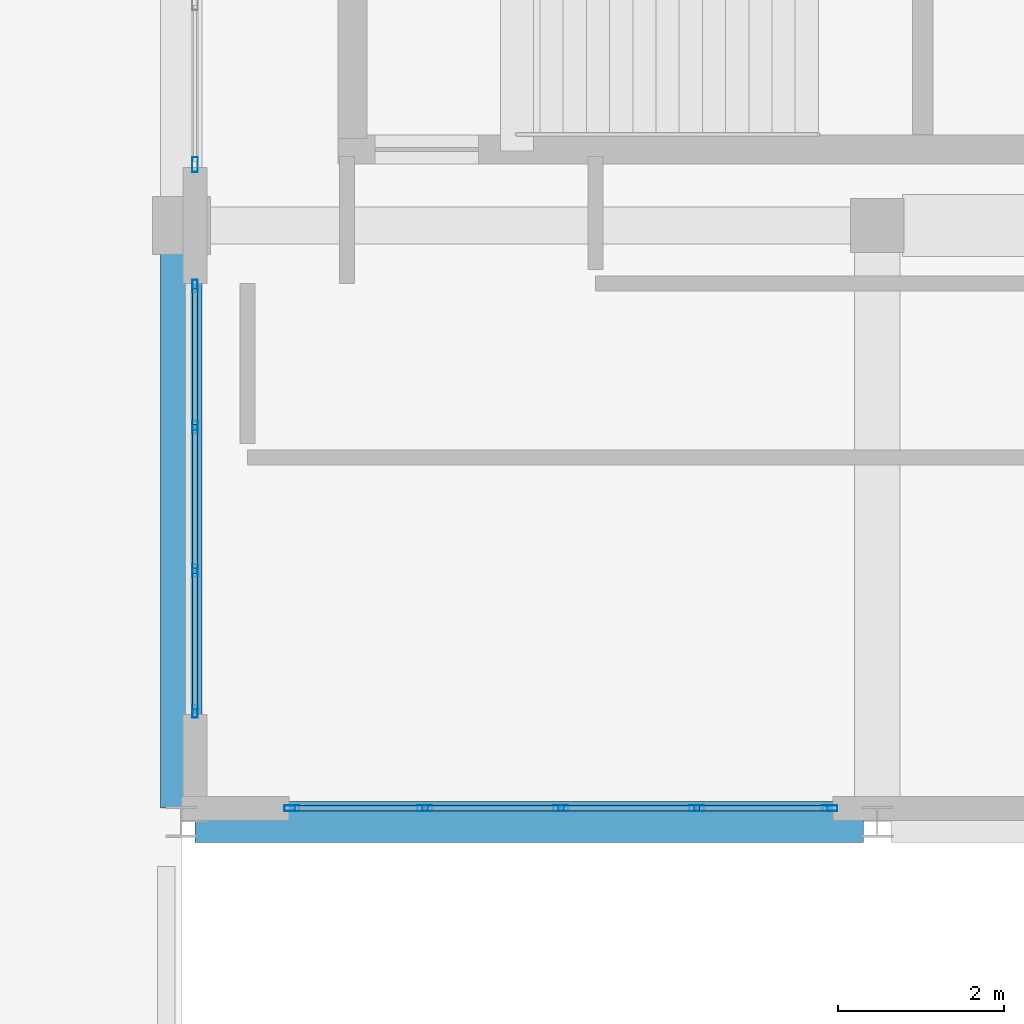
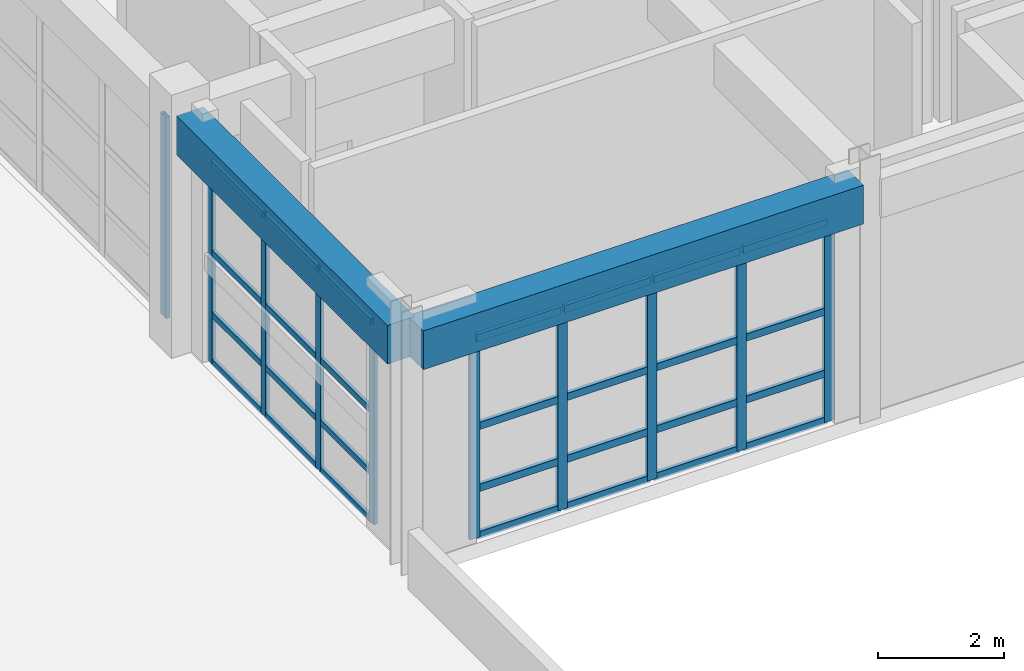
# One storey, part 44 of 78: 38 members, 2 beams, 3 elements without a shape of their own.
"""IFC4 building model written with IfcOpenShell, lengths in metres."""

from ifc_helpers import new_model, si_unit, direction, frame, origin, origin_2d, place, context, subcontext, project, spatial, rectangle, hollow_rectangle, extrude, material, layer, layer_set, material_profile, profile_set, type_object, element, aggregate, save


model = new_model("IFC4")

# Units and contexts
model_context = context("Model", 3, precision=1e-05, world=origin(), true_north=direction((0.0, 1.0)))
body_context = subcontext(model_context, "Body", "Model", "MODEL_VIEW")
ifc_project = project(units=[si_unit("LENGTHUNIT", "METRE"), si_unit("AREAUNIT", "SQUARE_METRE"), si_unit("VOLUMEUNIT", "CUBIC_METRE"), si_unit("PLANEANGLEUNIT", "RADIAN"), si_unit("MASSUNIT", "GRAM", prefix="KILO")], contexts=[model_context])

# Site, building, storey
site_placement = place(None, origin())
site = spatial("IfcSite", under=ifc_project, at=site_placement, CompositionType="ELEMENT")
building_placement = place(site_placement, origin())
building = spatial("IfcBuilding", under=site, at=building_placement, Name="Quendrovan Civic Courthouse", CompositionType="ELEMENT")
storey_placement = place(building_placement, frame((0.0, 0.0, 10.199951171875)))
storey = spatial("IfcBuildingStorey", under=building, at=storey_placement, Name="L03", CompositionType="ELEMENT", Elevation=10.199951171875)

# Beams
ifc_material_1 = material(Name="Concrete C40/50", Category="concrete")
ifc_material_profile_1 = material_profile(ifc_material_1, rectangle(XDim=0.5, YDim=0.75, at=origin_2d()), Name="RC-BM-500x750")
ifc_profile_set_1 = profile_set([ifc_material_profile_1], Name="Concrete C40/50")
beam_type = type_object("IfcBeamType", Name="BM-RC750", PredefinedType="SPANDREL", material=ifc_profile_set_1)
beam_1_placement = place(storey_placement, frame((109.366943359375, 87.60009765625, 4.28515625), z_axis=(1.0, 0.0, 0.0), x_axis=(0.0, 1.0, 0.0)))
element("IfcBeam", 1, at=beam_1_placement, inside=storey, type_object=beam_type, Name="L03 Girder X0767", PredefinedType="SPANDREL", context=body_context, shape_type="SweptSolid", body=[
    extrude(rectangle(XDim=0.5, YDim=0.75, at=origin_2d()), origin(), (0.0, 0.0, 1.0), 8.066162109375),
])
beam_2_placement = place(storey_placement, frame((109.199951171875, 87.76611328125, 4.28515625), z_axis=(0.0, 1.0, 0.0), x_axis=(-1.0, 0.0, 0.0)))
element("IfcBeam", 2, at=beam_2_placement, inside=storey, type_object=beam_type, Name="L03 Girder Y0861", PredefinedType="SPANDREL", context=body_context, shape_type="SweptSolid", body=[
    extrude(rectangle(XDim=0.5, YDim=0.75, at=origin_2d()), origin(), (0.0, 0.0, 1.0), 6.703857421875),
])

# Curtain wall, members
ifc_material_2 = material(Name="Bronze anodised aluminium and low-E glass", Category="aluminium")
ifc_layer_1 = layer(ifc_material_2, 0.179931640625, Name="Bronze anodised aluminium and low-E glass")
ifc_layer_set_1 = layer_set([ifc_layer_1], Name="Bronze anodised aluminium and low-E glass")
curtain_wall_type_1 = type_object("IfcCurtainWallType", Name="CW-U66x39", PredefinedType="USERDEFINED", material=ifc_layer_set_1)
curtain_wall_1_placement = place(storey_placement, origin())
curtain_wall_1 = element("IfcCurtainWall", 3, at=curtain_wall_1_placement, inside=storey, type_object=curtain_wall_type_1, Name="L03 Unitised Hurricane Curtain Wall CW-140", ObjectType="UNITISED CURTAIN WALL", PredefinedType="USERDEFINED")
ifc_material_3 = material(Name="Bronze anodised aluminium", Category="aluminium")
ifc_material_profile_2 = material_profile(ifc_material_3, hollow_rectangle(XDim=0.070068359375, YDim=0.179931640625, WallThickness=0.00390625, at=origin_2d()), Name="CW-MULL-70x180")
ifc_profile_set_2 = profile_set([ifc_material_profile_2], Name="Bronze anodised aluminium")
member_type_1 = type_object("IfcMemberType", Name="CW-MULL-A", PredefinedType="MULLION", material=ifc_profile_set_2)
member_1_placement = place(storey_placement, frame((117.028076171875, 87.764892578125, 0.0), z_axis=(0.0, 0.0, 1.0), x_axis=(0.0, -1.0, 0.0)))
member_1 = element("IfcMember", 4, at=member_1_placement, type_object=member_type_1, Name="CW-140 mullion 1", PredefinedType="MULLION", context=body_context, shape_type="SweptSolid", body=[
    extrude(hollow_rectangle(XDim=0.070068359375, YDim=0.179931640625, WallThickness=0.00390625, at=origin_2d()), origin(), (0.0, 0.0, 1.0), 3.900146484375),
])
member_2_placement = place(storey_placement, frame((115.42236328125, 87.764892578125, 0.0), z_axis=(0.0, 0.0, 1.0), x_axis=(0.0, -1.0, 0.0)))
member_2 = element("IfcMember", 5, at=member_2_placement, type_object=member_type_1, Name="CW-140 mullion 2", PredefinedType="MULLION", context=body_context, shape_type="SweptSolid", body=[
    extrude(hollow_rectangle(XDim=0.070068359375, YDim=0.179931640625, WallThickness=0.00390625, at=origin_2d()), origin(), (0.0, 0.0, 1.0), 3.900146484375),
])
member_3_placement = place(storey_placement, frame((113.781494140625, 87.764892578125, 0.0), z_axis=(0.0, 0.0, 1.0), x_axis=(0.0, -1.0, 0.0)))
member_3 = element("IfcMember", 6, at=member_3_placement, type_object=member_type_1, Name="CW-140 mullion 3", PredefinedType="MULLION", context=body_context, shape_type="SweptSolid", body=[
    extrude(hollow_rectangle(XDim=0.070068359375, YDim=0.179931640625, WallThickness=0.00390625, at=origin_2d()), origin(), (0.0, 0.0, 1.0), 3.900146484375),
])
member_4_placement = place(storey_placement, frame((112.140869140625, 87.764892578125, 0.0), z_axis=(0.0, 0.0, 1.0), x_axis=(0.0, -1.0, 0.0)))
member_4 = element("IfcMember", 7, at=member_4_placement, type_object=member_type_1, Name="CW-140 mullion 4", PredefinedType="MULLION", context=body_context, shape_type="SweptSolid", body=[
    extrude(hollow_rectangle(XDim=0.070068359375, YDim=0.179931640625, WallThickness=0.00390625, at=origin_2d()), origin(), (0.0, 0.0, 1.0), 3.900146484375),
])
member_5_placement = place(storey_placement, frame((110.534912109375, 87.764892578125, 0.0), z_axis=(0.0, 0.0, 1.0), x_axis=(0.0, -1.0, 0.0)))
member_5 = element("IfcMember", 8, at=member_5_placement, type_object=member_type_1, Name="CW-140 mullion 5", PredefinedType="MULLION", context=body_context, shape_type="SweptSolid", body=[
    extrude(hollow_rectangle(XDim=0.070068359375, YDim=0.179931640625, WallThickness=0.00390625, at=origin_2d()), origin(), (0.0, 0.0, 1.0), 3.900146484375),
])

# Curtain wall, member
ifc_layer_2 = layer(ifc_material_2, 0.179931640625, Name="Bronze anodised aluminium and low-E glass")
ifc_layer_set_2 = layer_set([ifc_layer_2], Name="Bronze anodised aluminium and low-E glass")
curtain_wall_type_2 = type_object("IfcCurtainWallType", Name="CW-U60x39", PredefinedType="USERDEFINED", material=ifc_layer_set_2)
curtain_wall_2_placement = place(storey_placement, origin())
curtain_wall_2 = element("IfcCurtainWall", 9, at=curtain_wall_2_placement, inside=storey, type_object=curtain_wall_type_2, Name="L03 Unitised Hurricane Curtain Wall CW-142", ObjectType="UNITISED CURTAIN WALL", PredefinedType="USERDEFINED")
member_6_placement = place(storey_placement, frame((109.364990234375, 95.534912109375, 0.0), z_axis=(0.0, 0.0, 1.0), x_axis=(-1.0, 0.0, 0.0)))
member_6 = element("IfcMember", 10, at=member_6_placement, type_object=member_type_1, Name="CW-142 mullion 1", PredefinedType="MULLION", context=body_context, shape_type="SweptSolid", body=[
    extrude(hollow_rectangle(XDim=0.070068359375, YDim=0.179931640625, WallThickness=0.00390625, at=origin_2d()), origin(), (0.0, 0.0, 1.0), 3.900146484375),
])
aggregate(curtain_wall_2, [member_6])

# Curtain wall, members
ifc_layer_3 = layer(ifc_material_2, 0.179931640625, Name="Bronze anodised aluminium and low-E glass")
ifc_layer_set_3 = layer_set([ifc_layer_3], Name="Bronze anodised aluminium and low-E glass")
curtain_wall_type_3 = type_object("IfcCurtainWallType", Name="CW-U52x39", PredefinedType="USERDEFINED", material=ifc_layer_set_3)
curtain_wall_3_placement = place(storey_placement, origin())
curtain_wall_3 = element("IfcCurtainWall", 11, at=curtain_wall_3_placement, inside=storey, type_object=curtain_wall_type_3, Name="L03 Unitised Hurricane Curtain Wall CW-141", ObjectType="UNITISED CURTAIN WALL", PredefinedType="USERDEFINED")
ifc_material_profile_3 = material_profile(ifc_material_3, hollow_rectangle(XDim=0.06494140625, YDim=0.14990234375, WallThickness=0.00390625, at=origin_2d()), Name="CW-MULL-65x150")
ifc_profile_set_3 = profile_set([ifc_material_profile_3], Name="Bronze anodised aluminium")
member_type_2 = type_object("IfcMemberType", Name="CW-MULL-B", PredefinedType="MULLION", material=ifc_profile_set_3)
member_7_placement = place(storey_placement, frame((109.364990234375, 88.9326171875, 0.0), z_axis=(0.0, 0.0, 1.0), x_axis=(-1.0, 0.0, 0.0)))
member_7 = element("IfcMember", 12, at=member_7_placement, type_object=member_type_2, Name="CW-141 mullion 1", PredefinedType="MULLION", context=body_context, shape_type="SweptSolid", body=[
    extrude(hollow_rectangle(XDim=0.06494140625, YDim=0.14990234375, WallThickness=0.00390625, at=origin_2d()), origin(), (0.0, 0.0, 1.0), 3.900146484375),
])
member_8_placement = place(storey_placement, frame((109.364990234375, 90.63330078125, 0.0), z_axis=(0.0, 0.0, 1.0), x_axis=(-1.0, 0.0, 0.0)))
member_8 = element("IfcMember", 13, at=member_8_placement, type_object=member_type_2, Name="CW-141 mullion 2", PredefinedType="MULLION", context=body_context, shape_type="SweptSolid", body=[
    extrude(hollow_rectangle(XDim=0.06494140625, YDim=0.14990234375, WallThickness=0.00390625, at=origin_2d()), origin(), (0.0, 0.0, 1.0), 3.900146484375),
])
member_9_placement = place(storey_placement, frame((109.364990234375, 92.36669921875, 0.0), z_axis=(0.0, 0.0, 1.0), x_axis=(-1.0, 0.0, 0.0)))
member_9 = element("IfcMember", 14, at=member_9_placement, type_object=member_type_2, Name="CW-141 mullion 3", PredefinedType="MULLION", context=body_context, shape_type="SweptSolid", body=[
    extrude(hollow_rectangle(XDim=0.06494140625, YDim=0.14990234375, WallThickness=0.00390625, at=origin_2d()), origin(), (0.0, 0.0, 1.0), 3.900146484375),
])
member_10_placement = place(storey_placement, frame((109.364990234375, 94.0673828125, 0.0), z_axis=(0.0, 0.0, 1.0), x_axis=(-1.0, 0.0, 0.0)))
member_10 = element("IfcMember", 15, at=member_10_placement, type_object=member_type_2, Name="CW-141 mullion 4", PredefinedType="MULLION", context=body_context, shape_type="SweptSolid", body=[
    extrude(hollow_rectangle(XDim=0.06494140625, YDim=0.14990234375, WallThickness=0.00390625, at=origin_2d()), origin(), (0.0, 0.0, 1.0), 3.900146484375),
])

# Member
ifc_material_profile_4 = material_profile(ifc_material_3, hollow_rectangle(XDim=0.070068359375, YDim=0.139892578125, WallThickness=0.00390625, at=origin_2d()), Name="CW-TRAN-70x140")
ifc_profile_set_4 = profile_set([ifc_material_profile_4], Name="Bronze anodised aluminium")
member_type_3 = type_object("IfcMemberType", Name="CW-TRAN-A", PredefinedType="USERDEFINED", material=ifc_profile_set_4)
member_11_placement = place(storey_placement, frame((116.992919921875, 87.764892578125, 0.03515625), z_axis=(-1.0, 0.0, 0.0), x_axis=(0.0, -1.0, 0.0)))
member_11 = element("IfcMember", 16, at=member_11_placement, type_object=member_type_3, Name="CW-140 transom 1.1", ObjectType="TRANSOM", PredefinedType="USERDEFINED", context=body_context, shape_type="SweptSolid", body=[
    extrude(hollow_rectangle(XDim=0.070068359375, YDim=0.139892578125, WallThickness=0.00390625, at=origin_2d()), origin(), (0.0, 0.0, 1.0), 1.53564453125),
])

member_12_placement = place(storey_placement, frame((116.992919921875, 87.764892578125, 0.949951171875), z_axis=(-1.0, 0.0, 0.0), x_axis=(0.0, -1.0, 0.0)))
member_12 = element("IfcMember", 17, at=member_12_placement, type_object=member_type_3, Name="CW-140 transom 1.2", ObjectType="TRANSOM", PredefinedType="USERDEFINED", context=body_context, shape_type="SweptSolid", body=[
    extrude(hollow_rectangle(XDim=0.070068359375, YDim=0.139892578125, WallThickness=0.00390625, at=origin_2d()), origin(), (0.0, 0.0, 1.0), 1.53564453125),
])

member_13_placement = place(storey_placement, frame((116.992919921875, 87.764892578125, 2.150146484375), z_axis=(-1.0, 0.0, 0.0), x_axis=(0.0, -1.0, 0.0)))
member_13 = element("IfcMember", 18, at=member_13_placement, type_object=member_type_3, Name="CW-140 transom 1.3", ObjectType="TRANSOM", PredefinedType="USERDEFINED", context=body_context, shape_type="SweptSolid", body=[
    extrude(hollow_rectangle(XDim=0.070068359375, YDim=0.139892578125, WallThickness=0.00390625, at=origin_2d()), origin(), (0.0, 0.0, 1.0), 1.53564453125),
])

member_14_placement = place(storey_placement, frame((116.992919921875, 87.764892578125, 3.864990234375), z_axis=(-1.0, 0.0, 0.0), x_axis=(0.0, -1.0, 0.0)))
member_14 = element("IfcMember", 19, at=member_14_placement, type_object=member_type_3, Name="CW-140 transom 1.4", ObjectType="TRANSOM", PredefinedType="USERDEFINED", context=body_context, shape_type="SweptSolid", body=[
    extrude(hollow_rectangle(XDim=0.070068359375, YDim=0.139892578125, WallThickness=0.00390625, at=origin_2d()), origin(), (0.0, 0.0, 1.0), 1.53564453125),
])

member_15_placement = place(storey_placement, frame((115.38720703125, 87.764892578125, 0.03515625), z_axis=(-1.0, 0.0, 0.0), x_axis=(0.0, -1.0, 0.0)))
member_15 = element("IfcMember", 20, at=member_15_placement, type_object=member_type_3, Name="CW-140 transom 2.1", ObjectType="TRANSOM", PredefinedType="USERDEFINED", context=body_context, shape_type="SweptSolid", body=[
    extrude(hollow_rectangle(XDim=0.070068359375, YDim=0.139892578125, WallThickness=0.00390625, at=origin_2d()), origin(), (0.0, 0.0, 1.0), 1.57080078125),
])

member_16_placement = place(storey_placement, frame((115.38720703125, 87.764892578125, 0.949951171875), z_axis=(-1.0, 0.0, 0.0), x_axis=(0.0, -1.0, 0.0)))
member_16 = element("IfcMember", 21, at=member_16_placement, type_object=member_type_3, Name="CW-140 transom 2.2", ObjectType="TRANSOM", PredefinedType="USERDEFINED", context=body_context, shape_type="SweptSolid", body=[
    extrude(hollow_rectangle(XDim=0.070068359375, YDim=0.139892578125, WallThickness=0.00390625, at=origin_2d()), origin(), (0.0, 0.0, 1.0), 1.57080078125),
])

member_17_placement = place(storey_placement, frame((115.38720703125, 87.764892578125, 2.150146484375), z_axis=(-1.0, 0.0, 0.0), x_axis=(0.0, -1.0, 0.0)))
member_17 = element("IfcMember", 22, at=member_17_placement, type_object=member_type_3, Name="CW-140 transom 2.3", ObjectType="TRANSOM", PredefinedType="USERDEFINED", context=body_context, shape_type="SweptSolid", body=[
    extrude(hollow_rectangle(XDim=0.070068359375, YDim=0.139892578125, WallThickness=0.00390625, at=origin_2d()), origin(), (0.0, 0.0, 1.0), 1.57080078125),
])

member_18_placement = place(storey_placement, frame((115.38720703125, 87.764892578125, 3.864990234375), z_axis=(-1.0, 0.0, 0.0), x_axis=(0.0, -1.0, 0.0)))
member_18 = element("IfcMember", 23, at=member_18_placement, type_object=member_type_3, Name="CW-140 transom 2.4", ObjectType="TRANSOM", PredefinedType="USERDEFINED", context=body_context, shape_type="SweptSolid", body=[
    extrude(hollow_rectangle(XDim=0.070068359375, YDim=0.139892578125, WallThickness=0.00390625, at=origin_2d()), origin(), (0.0, 0.0, 1.0), 1.57080078125),
])

member_19_placement = place(storey_placement, frame((113.74658203125, 87.764892578125, 0.03515625), z_axis=(-1.0, 0.0, 0.0), x_axis=(0.0, -1.0, 0.0)))
member_19 = element("IfcMember", 24, at=member_19_placement, type_object=member_type_3, Name="CW-140 transom 3.1", ObjectType="TRANSOM", PredefinedType="USERDEFINED", context=body_context, shape_type="SweptSolid", body=[
    extrude(hollow_rectangle(XDim=0.070068359375, YDim=0.139892578125, WallThickness=0.00390625, at=origin_2d()), origin(), (0.0, 0.0, 1.0), 1.57080078125),
])

member_20_placement = place(storey_placement, frame((113.74658203125, 87.764892578125, 0.949951171875), z_axis=(-1.0, 0.0, 0.0), x_axis=(0.0, -1.0, 0.0)))
member_20 = element("IfcMember", 25, at=member_20_placement, type_object=member_type_3, Name="CW-140 transom 3.2", ObjectType="TRANSOM", PredefinedType="USERDEFINED", context=body_context, shape_type="SweptSolid", body=[
    extrude(hollow_rectangle(XDim=0.070068359375, YDim=0.139892578125, WallThickness=0.00390625, at=origin_2d()), origin(), (0.0, 0.0, 1.0), 1.57080078125),
])

member_21_placement = place(storey_placement, frame((113.74658203125, 87.764892578125, 2.150146484375), z_axis=(-1.0, 0.0, 0.0), x_axis=(0.0, -1.0, 0.0)))
member_21 = element("IfcMember", 26, at=member_21_placement, type_object=member_type_3, Name="CW-140 transom 3.3", ObjectType="TRANSOM", PredefinedType="USERDEFINED", context=body_context, shape_type="SweptSolid", body=[
    extrude(hollow_rectangle(XDim=0.070068359375, YDim=0.139892578125, WallThickness=0.00390625, at=origin_2d()), origin(), (0.0, 0.0, 1.0), 1.57080078125),
])

member_22_placement = place(storey_placement, frame((113.74658203125, 87.764892578125, 3.864990234375), z_axis=(-1.0, 0.0, 0.0), x_axis=(0.0, -1.0, 0.0)))
member_22 = element("IfcMember", 27, at=member_22_placement, type_object=member_type_3, Name="CW-140 transom 3.4", ObjectType="TRANSOM", PredefinedType="USERDEFINED", context=body_context, shape_type="SweptSolid", body=[
    extrude(hollow_rectangle(XDim=0.070068359375, YDim=0.139892578125, WallThickness=0.00390625, at=origin_2d()), origin(), (0.0, 0.0, 1.0), 1.57080078125),
])

member_23_placement = place(storey_placement, frame((112.105712890625, 87.764892578125, 0.03515625), z_axis=(-1.0, 0.0, 0.0), x_axis=(0.0, -1.0, 0.0)))
member_23 = element("IfcMember", 28, at=member_23_placement, type_object=member_type_3, Name="CW-140 transom 4.1", ObjectType="TRANSOM", PredefinedType="USERDEFINED", context=body_context, shape_type="SweptSolid", body=[
    extrude(hollow_rectangle(XDim=0.070068359375, YDim=0.139892578125, WallThickness=0.00390625, at=origin_2d()), origin(), (0.0, 0.0, 1.0), 1.53564453125),
])

member_24_placement = place(storey_placement, frame((112.105712890625, 87.764892578125, 0.949951171875), z_axis=(-1.0, 0.0, 0.0), x_axis=(0.0, -1.0, 0.0)))
member_24 = element("IfcMember", 29, at=member_24_placement, type_object=member_type_3, Name="CW-140 transom 4.2", ObjectType="TRANSOM", PredefinedType="USERDEFINED", context=body_context, shape_type="SweptSolid", body=[
    extrude(hollow_rectangle(XDim=0.070068359375, YDim=0.139892578125, WallThickness=0.00390625, at=origin_2d()), origin(), (0.0, 0.0, 1.0), 1.53564453125),
])

member_25_placement = place(storey_placement, frame((112.105712890625, 87.764892578125, 2.150146484375), z_axis=(-1.0, 0.0, 0.0), x_axis=(0.0, -1.0, 0.0)))
member_25 = element("IfcMember", 30, at=member_25_placement, type_object=member_type_3, Name="CW-140 transom 4.3", ObjectType="TRANSOM", PredefinedType="USERDEFINED", context=body_context, shape_type="SweptSolid", body=[
    extrude(hollow_rectangle(XDim=0.070068359375, YDim=0.139892578125, WallThickness=0.00390625, at=origin_2d()), origin(), (0.0, 0.0, 1.0), 1.53564453125),
])

member_26_placement = place(storey_placement, frame((112.105712890625, 87.764892578125, 3.864990234375), z_axis=(-1.0, 0.0, 0.0), x_axis=(0.0, -1.0, 0.0)))
member_26 = element("IfcMember", 31, at=member_26_placement, type_object=member_type_3, Name="CW-140 transom 4.4", ObjectType="TRANSOM", PredefinedType="USERDEFINED", context=body_context, shape_type="SweptSolid", body=[
    extrude(hollow_rectangle(XDim=0.070068359375, YDim=0.139892578125, WallThickness=0.00390625, at=origin_2d()), origin(), (0.0, 0.0, 1.0), 1.53564453125),
])

aggregate(curtain_wall_1, [member_1, member_2, member_3, member_4, member_5, member_11, member_12, member_13, member_14, member_15, member_16, member_17, member_18, member_19, member_20, member_21, member_22, member_23, member_24, member_25, member_26])

ifc_material_profile_5 = material_profile(ifc_material_3, hollow_rectangle(XDim=0.06494140625, YDim=0.114990234375, WallThickness=0.00390625, at=origin_2d()), Name="CW-TRAN-65x115")
ifc_profile_set_5 = profile_set([ifc_material_profile_5], Name="Bronze anodised aluminium")
member_type_4 = type_object("IfcMemberType", Name="CW-TRAN-B", PredefinedType="USERDEFINED", material=ifc_profile_set_5)
member_27_placement = place(storey_placement, frame((109.364990234375, 88.965087890625, 0.032470703125), z_axis=(0.0, 1.0, 0.0), x_axis=(-1.0, 0.0, 0.0)))
member_27 = element("IfcMember", 32, at=member_27_placement, type_object=member_type_4, Name="CW-141 transom 1.1", ObjectType="TRANSOM", PredefinedType="USERDEFINED", context=body_context, shape_type="SweptSolid", body=[
    extrude(hollow_rectangle(XDim=0.06494140625, YDim=0.114990234375, WallThickness=0.00390625, at=origin_2d()), origin(), (0.0, 0.0, 1.0), 1.6357421875),
])

member_28_placement = place(storey_placement, frame((109.364990234375, 88.965087890625, 0.949951171875), z_axis=(0.0, 1.0, 0.0), x_axis=(-1.0, 0.0, 0.0)))
member_28 = element("IfcMember", 33, at=member_28_placement, type_object=member_type_4, Name="CW-141 transom 1.2", ObjectType="TRANSOM", PredefinedType="USERDEFINED", context=body_context, shape_type="SweptSolid", body=[
    extrude(hollow_rectangle(XDim=0.06494140625, YDim=0.114990234375, WallThickness=0.00390625, at=origin_2d()), origin(), (0.0, 0.0, 1.0), 1.6357421875),
])

member_29_placement = place(storey_placement, frame((109.364990234375, 88.965087890625, 2.150146484375), z_axis=(0.0, 1.0, 0.0), x_axis=(-1.0, 0.0, 0.0)))
member_29 = element("IfcMember", 34, at=member_29_placement, type_object=member_type_4, Name="CW-141 transom 1.3", ObjectType="TRANSOM", PredefinedType="USERDEFINED", context=body_context, shape_type="SweptSolid", body=[
    extrude(hollow_rectangle(XDim=0.06494140625, YDim=0.114990234375, WallThickness=0.00390625, at=origin_2d()), origin(), (0.0, 0.0, 1.0), 1.6357421875),
])

member_30_placement = place(storey_placement, frame((109.364990234375, 88.965087890625, 3.867431640625), z_axis=(0.0, 1.0, 0.0), x_axis=(-1.0, 0.0, 0.0)))
member_30 = element("IfcMember", 35, at=member_30_placement, type_object=member_type_4, Name="CW-141 transom 1.4", ObjectType="TRANSOM", PredefinedType="USERDEFINED", context=body_context, shape_type="SweptSolid", body=[
    extrude(hollow_rectangle(XDim=0.06494140625, YDim=0.114990234375, WallThickness=0.00390625, at=origin_2d()), origin(), (0.0, 0.0, 1.0), 1.6357421875),
])

member_31_placement = place(storey_placement, frame((109.364990234375, 90.665771484375, 0.032470703125), z_axis=(0.0, 1.0, 0.0), x_axis=(-1.0, 0.0, 0.0)))
member_31 = element("IfcMember", 36, at=member_31_placement, type_object=member_type_4, Name="CW-141 transom 2.1", ObjectType="TRANSOM", PredefinedType="USERDEFINED", context=body_context, shape_type="SweptSolid", body=[
    extrude(hollow_rectangle(XDim=0.06494140625, YDim=0.114990234375, WallThickness=0.00390625, at=origin_2d()), origin(), (0.0, 0.0, 1.0), 1.66845703125),
])

member_32_placement = place(storey_placement, frame((109.364990234375, 90.665771484375, 0.949951171875), z_axis=(0.0, 1.0, 0.0), x_axis=(-1.0, 0.0, 0.0)))
member_32 = element("IfcMember", 37, at=member_32_placement, type_object=member_type_4, Name="CW-141 transom 2.2", ObjectType="TRANSOM", PredefinedType="USERDEFINED", context=body_context, shape_type="SweptSolid", body=[
    extrude(hollow_rectangle(XDim=0.06494140625, YDim=0.114990234375, WallThickness=0.00390625, at=origin_2d()), origin(), (0.0, 0.0, 1.0), 1.66845703125),
])

member_33_placement = place(storey_placement, frame((109.364990234375, 90.665771484375, 2.150146484375), z_axis=(0.0, 1.0, 0.0), x_axis=(-1.0, 0.0, 0.0)))
member_33 = element("IfcMember", 38, at=member_33_placement, type_object=member_type_4, Name="CW-141 transom 2.3", ObjectType="TRANSOM", PredefinedType="USERDEFINED", context=body_context, shape_type="SweptSolid", body=[
    extrude(hollow_rectangle(XDim=0.06494140625, YDim=0.114990234375, WallThickness=0.00390625, at=origin_2d()), origin(), (0.0, 0.0, 1.0), 1.66845703125),
])

member_34_placement = place(storey_placement, frame((109.364990234375, 90.665771484375, 3.867431640625), z_axis=(0.0, 1.0, 0.0), x_axis=(-1.0, 0.0, 0.0)))
member_34 = element("IfcMember", 39, at=member_34_placement, type_object=member_type_4, Name="CW-141 transom 2.4", ObjectType="TRANSOM", PredefinedType="USERDEFINED", context=body_context, shape_type="SweptSolid", body=[
    extrude(hollow_rectangle(XDim=0.06494140625, YDim=0.114990234375, WallThickness=0.00390625, at=origin_2d()), origin(), (0.0, 0.0, 1.0), 1.66845703125),
])

member_35_placement = place(storey_placement, frame((109.364990234375, 92.399169921875, 0.032470703125), z_axis=(0.0, 1.0, 0.0), x_axis=(-1.0, 0.0, 0.0)))
member_35 = element("IfcMember", 40, at=member_35_placement, type_object=member_type_4, Name="CW-141 transom 3.1", ObjectType="TRANSOM", PredefinedType="USERDEFINED", context=body_context, shape_type="SweptSolid", body=[
    extrude(hollow_rectangle(XDim=0.06494140625, YDim=0.114990234375, WallThickness=0.00390625, at=origin_2d()), origin(), (0.0, 0.0, 1.0), 1.6357421875),
])

member_36_placement = place(storey_placement, frame((109.364990234375, 92.399169921875, 0.949951171875), z_axis=(0.0, 1.0, 0.0), x_axis=(-1.0, 0.0, 0.0)))
member_36 = element("IfcMember", 41, at=member_36_placement, type_object=member_type_4, Name="CW-141 transom 3.2", ObjectType="TRANSOM", PredefinedType="USERDEFINED", context=body_context, shape_type="SweptSolid", body=[
    extrude(hollow_rectangle(XDim=0.06494140625, YDim=0.114990234375, WallThickness=0.00390625, at=origin_2d()), origin(), (0.0, 0.0, 1.0), 1.6357421875),
])

member_37_placement = place(storey_placement, frame((109.364990234375, 92.399169921875, 2.150146484375), z_axis=(0.0, 1.0, 0.0), x_axis=(-1.0, 0.0, 0.0)))
member_37 = element("IfcMember", 42, at=member_37_placement, type_object=member_type_4, Name="CW-141 transom 3.3", ObjectType="TRANSOM", PredefinedType="USERDEFINED", context=body_context, shape_type="SweptSolid", body=[
    extrude(hollow_rectangle(XDim=0.06494140625, YDim=0.114990234375, WallThickness=0.00390625, at=origin_2d()), origin(), (0.0, 0.0, 1.0), 1.6357421875),
])

member_38_placement = place(storey_placement, frame((109.364990234375, 92.399169921875, 3.867431640625), z_axis=(0.0, 1.0, 0.0), x_axis=(-1.0, 0.0, 0.0)))
member_38 = element("IfcMember", 43, at=member_38_placement, type_object=member_type_4, Name="CW-141 transom 3.4", ObjectType="TRANSOM", PredefinedType="USERDEFINED", context=body_context, shape_type="SweptSolid", body=[
    extrude(hollow_rectangle(XDim=0.06494140625, YDim=0.114990234375, WallThickness=0.00390625, at=origin_2d()), origin(), (0.0, 0.0, 1.0), 1.6357421875),
])

aggregate(curtain_wall_3, [member_7, member_8, member_9, member_10, member_27, member_28, member_29, member_30, member_31, member_32, member_33, member_34, member_35, member_36, member_37, member_38])

save(model, "model.ifc")
